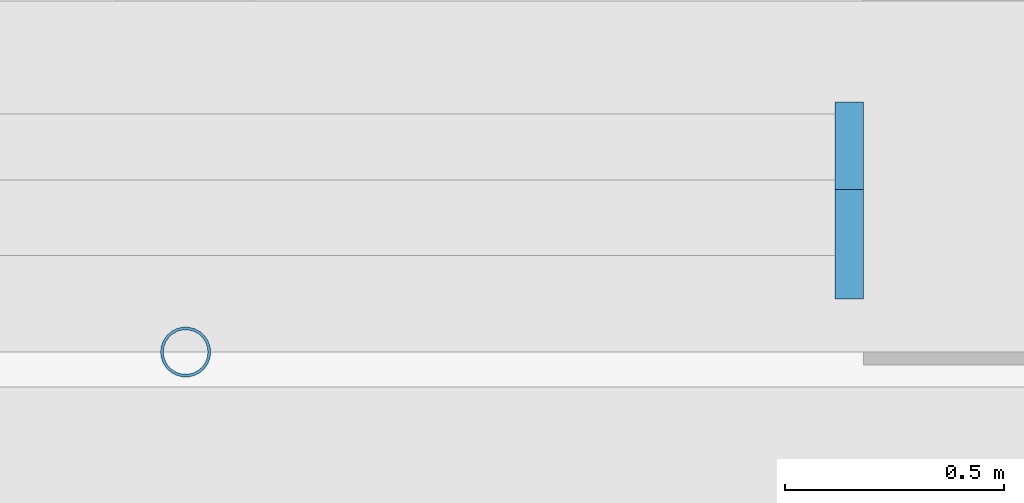
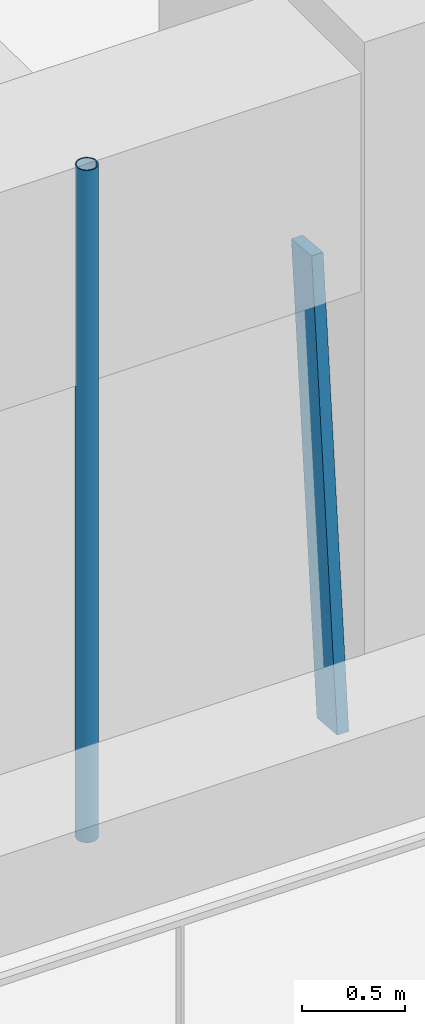
# One storey, part 4 of 23: 2 members, 1 element without a shape of its own.
"""IFC4 building model written with IfcOpenShell, lengths in metres."""

from ifc_helpers import new_model, si_unit, direction, frame, origin, origin_2d, place, context, subcontext, project, spatial, rectangle, hollow_circle, extrude, material, material_profile, profile_set, type_object, element, aggregate, save


model = new_model("IFC4")

# Units and contexts
model_context = context("Model", 3, precision=1e-05, world=origin(), true_north=direction((0.0, 1.0)))
body_context = subcontext(model_context, "Body", "Model", "MODEL_VIEW")
ifc_project = project(units=[si_unit("LENGTHUNIT", "METRE"), si_unit("AREAUNIT", "SQUARE_METRE"), si_unit("VOLUMEUNIT", "CUBIC_METRE"), si_unit("PLANEANGLEUNIT", "RADIAN"), si_unit("MASSUNIT", "GRAM", prefix="KILO")], contexts=[model_context])

# Site, building, storey
site_placement = place(None, origin())
site = spatial("IfcSite", under=ifc_project, at=site_placement, CompositionType="ELEMENT")
building_placement = place(site_placement, origin())
building = spatial("IfcBuilding", under=site, at=building_placement, Name="Tarfa Lantern Tower", CompositionType="ELEMENT")
storey_placement = place(building_placement, frame((0.0, 0.0, 40.300048828125)))
storey = spatial("IfcBuildingStorey", under=building, at=storey_placement, Name="L08", CompositionType="ELEMENT", Elevation=40.300048828125)

# Curtain wall, member
ifc_material_1 = material(Name="Aluminium framed curtain wall", Category="aluminium")
curtain_wall_type = type_object("IfcCurtainWallType", Name="CW1 CANTED GLAZING LOW ZONE 2700", PredefinedType="USERDEFINED", material=ifc_material_1)
curtain_wall_placement = place(storey_placement, origin())
curtain_wall = element("IfcCurtainWall", 1, at=curtain_wall_placement, inside=storey, type_object=curtain_wall_type, Name="CW1 S L08", ObjectType="CURTAIN WALL", PredefinedType="USERDEFINED")
ifc_material_2 = material(Name="Aluminium mullion", Category="aluminium")
ifc_material_profile_1 = material_profile(ifc_material_2, rectangle(XDim=0.06494140625, YDim=0.199951171875, at=origin_2d()), Name="AL MULLION 65x200")
ifc_profile_set_1 = profile_set([ifc_material_profile_1], Name="Aluminium mullion")
member_type_1 = type_object("IfcMemberType", Name="CWM1 MULLION 65x200", PredefinedType="MULLION", material=ifc_profile_set_1)
member_1_placement = place(storey_placement, frame((9.5947265625, -33.89990234375, 0.0), z_axis=(0.0, 0.092199863775, 0.995740520979), x_axis=(-1.0, 0.0, 0.0)))
member_1 = element("IfcMember", 2, at=member_1_placement, type_object=member_type_1, Name="CW1 mullion 2", PredefinedType="MULLION", context=body_context, shape_type="SweptSolid", body=[
    extrude(rectangle(XDim=0.06494140625, YDim=0.199951171875, at=origin_2d()), origin(), (0.0, 0.0, 1.0), 2.71142578125),
])
aggregate(curtain_wall, [member_1])

# Member
ifc_material_3 = material(Name="Steel S355", Category="steel")
ifc_material_profile_2 = material_profile(ifc_material_3, hollow_circle(Radius=0.05712890625, WallThickness=0.00634765625, at=origin_2d()), Name="CHS114.3x6.3")
ifc_profile_set_2 = profile_set([ifc_material_profile_2], Name="Steel S355")
member_type_2 = type_object("IfcMemberType", Name="TR1 GREEN WALL TRELLIS CHS114.3x6.3", PredefinedType="USERDEFINED", material=ifc_profile_set_2)
member_2_placement = place(storey_placement, frame((8.0830078125, -34.1201171875, 0.0), z_axis=(0.0, 0.0, 1.0), x_axis=(1.0, 0.0, 0.0)))
element("IfcMember", 3, at=member_2_placement, inside=storey, type_object=member_type_2, Name="Trellis post S 2", ObjectType="TRELLIS", PredefinedType="USERDEFINED", context=body_context, shape_type="SweptSolid", body=[
    extrude(hollow_circle(Radius=0.05712890625, WallThickness=0.00634765625, at=origin_2d()), origin(), (0.0, 0.0, 1.0), 4.0),
])

save(model, "model.ifc")
